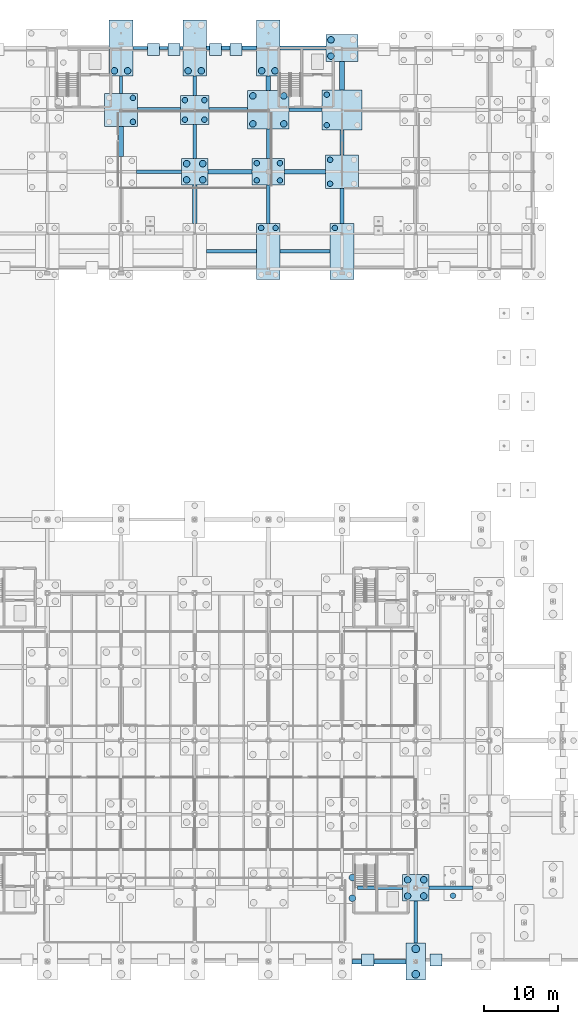
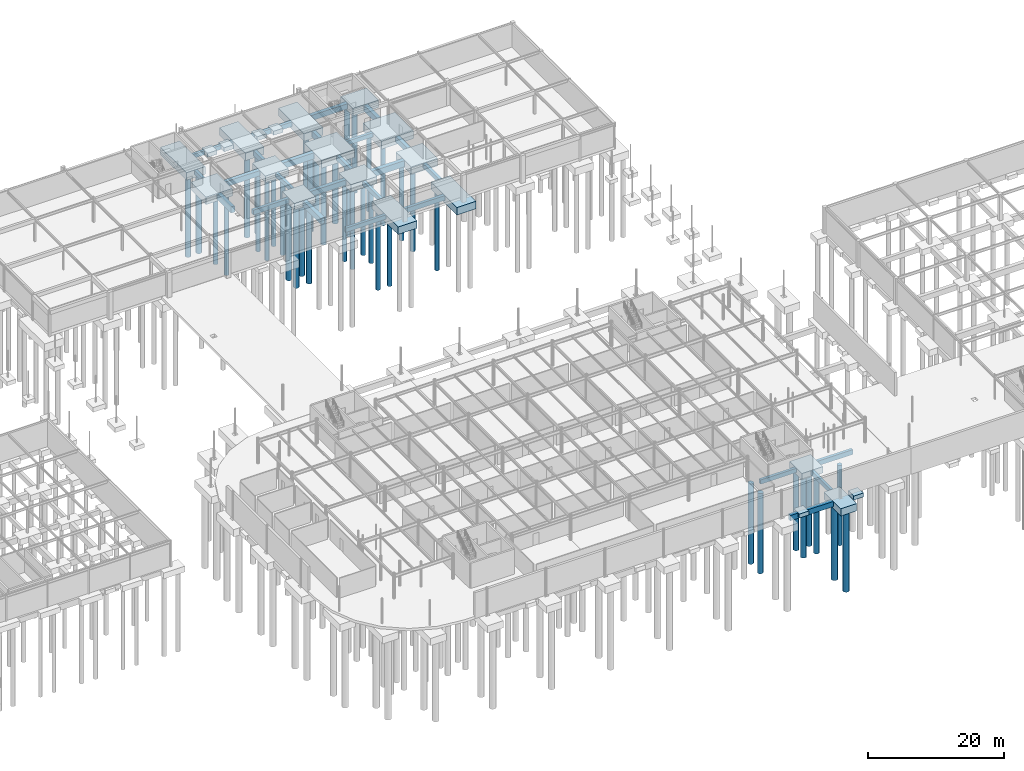
# One storey, part 7 of 75: 47 footings, 42 piles.
"""IFC4 building model written with IfcOpenShell, lengths in metres."""

from ifc_helpers import new_model, si_unit, derived_unit, direction, frame, origin, origin_2d_with_axis, place, context, subcontext, project, spatial, rectangle, circle, extrude, material, layer, layer_set, material_profile, profile_set, type_object, element, save


model = new_model("IFC4")

# Units and contexts
model_context = context("Model", 3, precision=1e-05, world=origin(), true_north=direction((0.0, 1.0)))
body_context = subcontext(model_context, "Body", "Model", "MODEL_VIEW")
ifc_project = project(units=[si_unit("LENGTHUNIT", "METRE"), si_unit("AREAUNIT", "SQUARE_METRE"), si_unit("VOLUMEUNIT", "CUBIC_METRE"), si_unit("PLANEANGLEUNIT", "RADIAN"), si_unit("MASSUNIT", "GRAM", prefix="KILO"), derived_unit("THERMALTRANSMITTANCEUNIT", [(si_unit("POWERUNIT", "WATT"), 1), (si_unit("LENGTHUNIT", "METRE"), -2), (si_unit("THERMODYNAMICTEMPERATUREUNIT", "KELVIN"), -1)])], contexts=[model_context])

# Site, building, storey
site_placement = place(None, origin())
site = spatial("IfcSite", under=ifc_project, at=site_placement, CompositionType="ELEMENT")
building_placement = place(site_placement, origin())
building = spatial("IfcBuilding", under=site, at=building_placement, Name="Cinnabar Yard Market Hall", CompositionType="ELEMENT")
storey_placement = place(building_placement, frame((0.0, 0.0, -4.5)))
storey = spatial("IfcBuildingStorey", under=building, at=storey_placement, Name="B1", CompositionType="ELEMENT", Elevation=-4.5)

# Footings
ifc_material = material(Name="Concrete 40 MPa", Category="concrete")
ifc_material_profile_1 = material_profile(ifc_material, rectangle(XDim=0.449951171875, YDim=0.75, at=origin_2d_with_axis()), Name="GB-450x750")
ifc_profile_set_1 = profile_set([ifc_material_profile_1], Name="Concrete 40 MPa")
footing_type_1 = type_object("IfcFootingType", Name="FT-GB01", PredefinedType="FOOTING_BEAM", material=ifc_profile_set_1)
footing_1_placement = place(storey_placement, frame((138.10009765625, 24.0, -0.824951171875), z_axis=(1.0, 0.0, 0.0), x_axis=(0.0, 1.0, 0.0)))
element("IfcFooting", 1, at=footing_1_placement, inside=storey, type_object=footing_type_1, Name="Ground Beam X 0016", PredefinedType="FOOTING_BEAM", context=body_context, shape_type="SweptSolid", body=[
    extrude(rectangle(XDim=0.449951171875, YDim=0.75, at=origin_2d_with_axis()), origin(), (0.0, 0.0, 1.0), 6.099853515625),
])
footing_2_placement = place(storey_placement, frame((117.60009765625, 110.39990234375, -0.824951171875), z_axis=(1.0, 0.0, 0.0), x_axis=(0.0, 1.0, 0.0)))
element("IfcFooting", 2, at=footing_2_placement, inside=storey, type_object=footing_type_1, Name="Ground Beam X 0116", PredefinedType="FOOTING_BEAM", context=body_context, shape_type="SweptSolid", body=[
    extrude(rectangle(XDim=0.449951171875, YDim=0.75, at=origin_2d_with_axis()), origin(), (0.0, 0.0, 1.0), 6.7998046875),
])
footing_3_placement = place(storey_placement, frame((128.800048828125, 129.60009765625, -0.824951171875), z_axis=(1.0, 0.0, 0.0), x_axis=(0.0, 1.0, 0.0)))
element("IfcFooting", 3, at=footing_3_placement, inside=storey, type_object=footing_type_1, Name="Ground Beam X 0136", PredefinedType="FOOTING_BEAM", context=body_context, shape_type="SweptSolid", body=[
    extrude(rectangle(XDim=0.449951171875, YDim=0.75, at=origin_2d_with_axis()), origin(), (0.0, 0.0, 1.0), 4.5),
])
footing_4_placement = place(storey_placement, frame((107.60009765625, 138.0, -0.824951171875), z_axis=(1.0, 0.0, 0.0), x_axis=(0.0, 1.0, 0.0)))
element("IfcFooting", 4, at=footing_4_placement, inside=storey, type_object=footing_type_1, Name="Ground Beam X 0144", PredefinedType="FOOTING_BEAM", context=body_context, shape_type="SweptSolid", body=[
    extrude(rectangle(XDim=0.449951171875, YDim=0.75, at=origin_2d_with_axis()), origin(), (0.0, 0.0, 1.0), 6.7998046875),
])
footing_5_placement = place(storey_placement, frame((106.0, 131.85009765625, -0.824951171875), z_axis=(0.0, 1.0, 0.0), x_axis=(-1.0, 0.0, 0.0)))
element("IfcFooting", 5, at=footing_5_placement, inside=storey, type_object=footing_type_1, Name="Ground Beam Y 0216", PredefinedType="FOOTING_BEAM", context=body_context, shape_type="SweptSolid", body=[
    extrude(rectangle(XDim=0.449951171875, YDim=0.75, at=origin_2d_with_axis()), origin(), (0.0, 0.0, 1.0), 2.349853515625),
])
footing_6_placement = place(storey_placement, frame((116.0, 123.0, -0.824951171875), z_axis=(0.0, 1.0, 0.0), x_axis=(-1.0, 0.0, 0.0)))
element("IfcFooting", 6, at=footing_6_placement, inside=storey, type_object=footing_type_1, Name="Ground Beam Y 0224", PredefinedType="FOOTING_BEAM", context=body_context, shape_type="SweptSolid", body=[
    extrude(rectangle(XDim=0.449951171875, YDim=0.75, at=origin_2d_with_axis()), origin(), (0.0, 0.0, 1.0), 4.64990234375),
])
footing_7_placement = place(storey_placement, frame((126.0, 114.199951171875, -0.824951171875), z_axis=(0.0, 1.0, 0.0), x_axis=(-1.0, 0.0, 0.0)))
element("IfcFooting", 7, at=footing_7_placement, inside=storey, type_object=footing_type_1, Name="Ground Beam Y 0232", PredefinedType="FOOTING_BEAM", context=body_context, shape_type="SweptSolid", body=[
    extrude(rectangle(XDim=0.449951171875, YDim=0.75, at=origin_2d_with_axis()), origin(), (0.0, 0.0, 1.0), 5.199951171875),
])
footing_8_placement = place(storey_placement, frame((146.0, 16.5, -0.824951171875), z_axis=(0.0, 1.0, 0.0), x_axis=(-1.0, 0.0, 0.0)))
element("IfcFooting", 8, at=footing_8_placement, inside=storey, type_object=footing_type_1, Name="Ground Beam Y 0244", PredefinedType="FOOTING_BEAM", context=body_context, shape_type="SweptSolid", body=[
    extrude(rectangle(XDim=0.449951171875, YDim=0.75, at=origin_2d_with_axis()), origin(), (0.0, 0.0, 1.0), 5.699951171875),
])
ifc_material_profile_2 = material_profile(ifc_material, rectangle(XDim=0.5, YDim=0.85009765625, at=origin_2d_with_axis()), Name="GB-500x850")
ifc_profile_set_2 = profile_set([ifc_material_profile_2], Name="Concrete 40 MPa")
footing_type_2 = type_object("IfcFootingType", Name="FT-GB02", PredefinedType="FOOTING_BEAM", material=ifc_profile_set_2)
footing_9_placement = place(storey_placement, frame((147.800048828125, 24.0, -0.875), z_axis=(1.0, 0.0, 0.0), x_axis=(0.0, 1.0, 0.0)))
element("IfcFooting", 9, at=footing_9_placement, inside=storey, type_object=footing_type_2, Name="Ground Beam X 0017", PredefinedType="FOOTING_BEAM", context=body_context, shape_type="SweptSolid", body=[
    extrude(rectangle(XDim=0.5, YDim=0.85009765625, at=origin_2d_with_axis()), origin(), (0.0, 0.0, 1.0), 6.0),
])
footing_10_placement = place(storey_placement, frame((127.60009765625, 110.39990234375, -0.875), z_axis=(1.0, 0.0, 0.0), x_axis=(0.0, 1.0, 0.0)))
element("IfcFooting", 10, at=footing_10_placement, inside=storey, type_object=footing_type_2, Name="Ground Beam X 0117", PredefinedType="FOOTING_BEAM", context=body_context, shape_type="SweptSolid", body=[
    extrude(rectangle(XDim=0.5, YDim=0.85009765625, at=origin_2d_with_axis()), origin(), (0.0, 0.0, 1.0), 6.7998046875),
])
footing_11_placement = place(storey_placement, frame((108.10009765625, 121.199951171875, -0.875), z_axis=(1.0, 0.0, 0.0), x_axis=(0.0, 1.0, 0.0)))
element("IfcFooting", 11, at=footing_11_placement, inside=storey, type_object=footing_type_2, Name="Ground Beam X 0125", PredefinedType="FOOTING_BEAM", context=body_context, shape_type="SweptSolid", body=[
    extrude(rectangle(XDim=0.5, YDim=0.85009765625, at=origin_2d_with_axis()), origin(), (0.0, 0.0, 1.0), 6.099853515625),
])
footing_12_placement = place(storey_placement, frame((117.60009765625, 138.0, -0.875), z_axis=(1.0, 0.0, 0.0), x_axis=(0.0, 1.0, 0.0)))
element("IfcFooting", 12, at=footing_12_placement, inside=storey, type_object=footing_type_2, Name="Ground Beam X 0145", PredefinedType="FOOTING_BEAM", context=body_context, shape_type="SweptSolid", body=[
    extrude(rectangle(XDim=0.5, YDim=0.85009765625, at=origin_2d_with_axis()), origin(), (0.0, 0.0, 1.0), 6.7998046875),
])
footing_13_placement = place(storey_placement, frame((116.0, 131.550048828125, -0.875), z_axis=(0.0, 1.0, 0.0), x_axis=(-1.0, 0.0, 0.0)))
element("IfcFooting", 13, at=footing_13_placement, inside=storey, type_object=footing_type_2, Name="Ground Beam Y 0225", PredefinedType="FOOTING_BEAM", context=body_context, shape_type="SweptSolid", body=[
    extrude(rectangle(XDim=0.5, YDim=0.85009765625, at=origin_2d_with_axis()), origin(), (0.0, 0.0, 1.0), 2.64990234375),
])
footing_14_placement = place(storey_placement, frame((126.0, 123.0, -0.875), z_axis=(0.0, 1.0, 0.0), x_axis=(-1.0, 0.0, 0.0)))
element("IfcFooting", 14, at=footing_14_placement, inside=storey, type_object=footing_type_2, Name="Ground Beam Y 0233", PredefinedType="FOOTING_BEAM", context=body_context, shape_type="SweptSolid", body=[
    extrude(rectangle(XDim=0.5, YDim=0.85009765625, at=origin_2d_with_axis()), origin(), (0.0, 0.0, 1.0), 4.0),
])
footing_15_placement = place(storey_placement, frame((136.0, 114.199951171875, -0.875), z_axis=(0.0, 1.0, 0.0), x_axis=(-1.0, 0.0, 0.0)))
element("IfcFooting", 15, at=footing_15_placement, inside=storey, type_object=footing_type_2, Name="Ground Beam Y 0241", PredefinedType="FOOTING_BEAM", context=body_context, shape_type="SweptSolid", body=[
    extrude(rectangle(XDim=0.5, YDim=0.85009765625, at=origin_2d_with_axis()), origin(), (0.0, 0.0, 1.0), 4.75),
])
ifc_material_profile_3 = material_profile(ifc_material, rectangle(XDim=0.60009765625, YDim=0.949951171875, at=origin_2d_with_axis()), Name="GB-600x950")
ifc_profile_set_3 = profile_set([ifc_material_profile_3], Name="Concrete 40 MPa")
footing_type_3 = type_object("IfcFootingType", Name="FT-GB03", PredefinedType="FOOTING_BEAM", material=ifc_profile_set_3)
footing_16_placement = place(storey_placement, frame((137.35009765625, 14.0, -0.925048828125), z_axis=(1.0, 0.0, 0.0), x_axis=(0.0, 1.0, 0.0)))
element("IfcFooting", 16, at=footing_16_placement, inside=storey, type_object=footing_type_3, Name="Ground Beam X 0006", PredefinedType="FOOTING_BEAM", context=body_context, shape_type="SweptSolid", body=[
    extrude(rectangle(XDim=0.60009765625, YDim=0.949951171875, at=origin_2d_with_axis()), origin(), (0.0, 0.0, 1.0), 7.2998046875),
])
footing_17_placement = place(storey_placement, frame((117.800048828125, 121.199951171875, -0.925048828125), z_axis=(1.0, 0.0, 0.0), x_axis=(0.0, 1.0, 0.0)))
element("IfcFooting", 17, at=footing_17_placement, inside=storey, type_object=footing_type_3, Name="Ground Beam X 0126", PredefinedType="FOOTING_BEAM", context=body_context, shape_type="SweptSolid", body=[
    extrude(rectangle(XDim=0.60009765625, YDim=0.949951171875, at=origin_2d_with_axis()), origin(), (0.0, 0.0, 1.0), 6.0),
])
footing_18_placement = place(storey_placement, frame((108.25, 129.60009765625, -0.925048828125), z_axis=(1.0, 0.0, 0.0), x_axis=(0.0, 1.0, 0.0)))
element("IfcFooting", 18, at=footing_18_placement, inside=storey, type_object=footing_type_3, Name="Ground Beam X 0134", PredefinedType="FOOTING_BEAM", context=body_context, shape_type="SweptSolid", body=[
    extrude(rectangle(XDim=0.60009765625, YDim=0.949951171875, at=origin_2d_with_axis()), origin(), (0.0, 0.0, 1.0), 5.800048828125),
])
footing_19_placement = place(storey_placement, frame((127.60009765625, 138.0, -0.925048828125), z_axis=(1.0, 0.0, 0.0), x_axis=(0.0, 1.0, 0.0)))
element("IfcFooting", 19, at=footing_19_placement, inside=storey, type_object=footing_type_3, Name="Ground Beam X 0146", PredefinedType="FOOTING_BEAM", context=body_context, shape_type="SweptSolid", body=[
    extrude(rectangle(XDim=0.60009765625, YDim=0.949951171875, at=origin_2d_with_axis()), origin(), (0.0, 0.0, 1.0), 6.199951171875),
])
footing_20_placement = place(storey_placement, frame((126.0, 132.199951171875, -0.925048828125), z_axis=(0.0, 1.0, 0.0), x_axis=(-1.0, 0.0, 0.0)))
element("IfcFooting", 20, at=footing_20_placement, inside=storey, type_object=footing_type_3, Name="Ground Beam Y 0234", PredefinedType="FOOTING_BEAM", context=body_context, shape_type="SweptSolid", body=[
    extrude(rectangle(XDim=0.60009765625, YDim=0.949951171875, at=origin_2d_with_axis()), origin(), (0.0, 0.0, 1.0), 2.0),
])
footing_21_placement = place(storey_placement, frame((136.0, 123.449951171875, -0.925048828125), z_axis=(0.0, 1.0, 0.0), x_axis=(-1.0, 0.0, 0.0)))
element("IfcFooting", 21, at=footing_21_placement, inside=storey, type_object=footing_type_3, Name="Ground Beam Y 0242", PredefinedType="FOOTING_BEAM", context=body_context, shape_type="SweptSolid", body=[
    extrude(rectangle(XDim=0.60009765625, YDim=0.949951171875, at=origin_2d_with_axis()), origin(), (0.0, 0.0, 1.0), 3.449951171875),
])
ifc_material_profile_4 = material_profile(ifc_material, rectangle(XDim=0.64990234375, YDim=1.10009765625, at=origin_2d_with_axis()), Name="GB-650x1100")
ifc_profile_set_4 = profile_set([ifc_material_profile_4], Name="Concrete 40 MPa")
footing_type_4 = type_object("IfcFootingType", Name="FT-GB04", PredefinedType="FOOTING_BEAM", material=ifc_profile_set_4)
footing_22_placement = place(storey_placement, frame((128.199951171875, 121.199951171875, -1.0), z_axis=(1.0, 0.0, 0.0), x_axis=(0.0, 1.0, 0.0)))
element("IfcFooting", 22, at=footing_22_placement, inside=storey, type_object=footing_type_4, Name="Ground Beam X 0127", PredefinedType="FOOTING_BEAM", context=body_context, shape_type="SweptSolid", body=[
    extrude(rectangle(XDim=0.64990234375, YDim=1.10009765625, at=origin_2d_with_axis()), origin(), (0.0, 0.0, 1.0), 5.550048828125),
])
footing_23_placement = place(storey_placement, frame((117.949951171875, 129.60009765625, -1.0), z_axis=(1.0, 0.0, 0.0), x_axis=(0.0, 1.0, 0.0)))
element("IfcFooting", 23, at=footing_23_placement, inside=storey, type_object=footing_type_4, Name="Ground Beam X 0135", PredefinedType="FOOTING_BEAM", context=body_context, shape_type="SweptSolid", body=[
    extrude(rectangle(XDim=0.64990234375, YDim=1.10009765625, at=origin_2d_with_axis()), origin(), (0.0, 0.0, 1.0), 5.25),
])
footing_24_placement = place(storey_placement, frame((106.0, 123.300048828125, -1.0), z_axis=(0.0, 1.0, 0.0), x_axis=(-1.0, 0.0, 0.0)))
element("IfcFooting", 24, at=footing_24_placement, inside=storey, type_object=footing_type_4, Name="Ground Beam Y 0215", PredefinedType="FOOTING_BEAM", context=body_context, shape_type="SweptSolid", body=[
    extrude(rectangle(XDim=0.64990234375, YDim=1.10009765625, at=origin_2d_with_axis()), origin(), (0.0, 0.0, 1.0), 4.050048828125),
])
footing_25_placement = place(storey_placement, frame((116.0, 114.199951171875, -1.0), z_axis=(0.0, 1.0, 0.0), x_axis=(-1.0, 0.0, 0.0)))
element("IfcFooting", 25, at=footing_25_placement, inside=storey, type_object=footing_type_4, Name="Ground Beam Y 0223", PredefinedType="FOOTING_BEAM", context=body_context, shape_type="SweptSolid", body=[
    extrude(rectangle(XDim=0.64990234375, YDim=1.10009765625, at=origin_2d_with_axis()), origin(), (0.0, 0.0, 1.0), 5.199951171875),
])
footing_26_placement = place(storey_placement, frame((136.0, 132.300048828125, -1.0), z_axis=(0.0, 1.0, 0.0), x_axis=(-1.0, 0.0, 0.0)))
element("IfcFooting", 26, at=footing_26_placement, inside=storey, type_object=footing_type_4, Name="Ground Beam Y 0243", PredefinedType="FOOTING_BEAM", context=body_context, shape_type="SweptSolid", body=[
    extrude(rectangle(XDim=0.64990234375, YDim=1.10009765625, at=origin_2d_with_axis()), origin(), (0.0, 0.0, 1.0), 3.89990234375),
])
ifc_layer_1 = layer(ifc_material, 1.14990234375)
ifc_layer_set_1 = layer_set([ifc_layer_1], Name="Concrete 40 MPa")
footing_type_5 = type_object("IfcFootingType", Name="FT-PC03", PredefinedType="PILE_CAP", material=ifc_layer_set_1)
for number, where, z_axis, x_axis, name in (
    (27, (146.0, 24.0, -1.599853515625), (0.0, 0.0, 1.0), (1.0, 0.0, 0.0), "Pile Cap V1I-08-01"),
    (28, (116.0, 121.199951171875, -1.599853515625), (0.0, 0.0, 1.0), (1.0, 0.0, 0.0), "Pile Cap V3-06-03"),
):
    element("IfcFooting", number, at=place(storey_placement, frame(where, z_axis=z_axis, x_axis=x_axis)), inside=storey, type_object=footing_type_5, Name=name, PredefinedType="PILE_CAP", context=body_context, shape_type="SweptSolid", body=[
        extrude(rectangle(XDim=3.60009765625, YDim=3.60009765625, at=origin_2d_with_axis()), origin(), (0.0, 0.0, 1.0), 1.14990234375),
    ])
ifc_layer_2 = layer(ifc_material, 1.199951171875)
ifc_layer_set_2 = layer_set([ifc_layer_2], Name="Concrete 40 MPa")
footing_type_6 = type_object("IfcFootingType", Name="FT-PC04", PredefinedType="PILE_CAP", material=ifc_layer_set_2)
footing_27_placement = place(storey_placement, frame((116.0, 129.60009765625, -1.64990234375), z_axis=(0.0, 0.0, 1.0), x_axis=(1.0, 0.0, 0.0)))
element("IfcFooting", 29, at=footing_27_placement, inside=storey, type_object=footing_type_6, Name="Pile Cap V3-06-04", PredefinedType="PILE_CAP", context=body_context, shape_type="SweptSolid", body=[
    extrude(rectangle(XDim=3.89990234375, YDim=3.89990234375, at=origin_2d_with_axis()), origin(), (0.0, 0.0, 1.0), 1.199951171875),
])
ifc_layer_3 = layer(ifc_material, 1.35009765625)
ifc_layer_set_3 = layer_set([ifc_layer_3], Name="Concrete 40 MPa")
footing_type_7 = type_object("IfcFootingType", Name="FT-PC06", PredefinedType="PILE_CAP", material=ifc_layer_set_3)
for number, where, z_axis, x_axis, name in (
    (30, (106.0, 129.60009765625, -1.800048828125), (0.0, 0.0, 1.0), (1.0, 0.0, 0.0), "Pile Cap V3-05-04"),
    (31, (136.0, 121.199951171875, -1.800048828125), (0.0, 0.0, 1.0), (1.0, 0.0, 0.0), "Pile Cap V3-08-03"),
):
    element("IfcFooting", number, at=place(storey_placement, frame(where, z_axis=z_axis, x_axis=x_axis)), inside=storey, type_object=footing_type_7, Name=name, PredefinedType="PILE_CAP", context=body_context, shape_type="SweptSolid", body=[
        extrude(rectangle(XDim=4.5, YDim=4.5, at=origin_2d_with_axis()), origin(), (0.0, 0.0, 1.0), 1.35009765625),
    ])
ifc_layer_4 = layer(ifc_material, 1.300048828125)
ifc_layer_set_4 = layer_set([ifc_layer_4], Name="Concrete 40 MPa")
footing_type_8 = type_object("IfcFootingType", Name="FT-PC10", PredefinedType="PILE_CAP", material=ifc_layer_set_4)
footing_28_placement = place(storey_placement, frame((146.0, 14.0, -1.75), z_axis=(0.0, 0.0, 1.0), x_axis=(1.0, 0.0, 0.0)))
element("IfcFooting", 32, at=footing_28_placement, inside=storey, type_object=footing_type_8, Name="Pile Cap V1S-07", PredefinedType="PILE_CAP", context=body_context, shape_type="SweptSolid", body=[
    extrude(rectangle(XDim=2.699951171875, YDim=5.0, at=origin_2d_with_axis()), origin(), (0.0, 0.0, 1.0), 1.300048828125),
])
ifc_layer_5 = layer(ifc_material, 1.449951171875)
ifc_layer_set_5 = layer_set([ifc_layer_5], Name="Concrete 40 MPa")
footing_type_9 = type_object("IfcFootingType", Name="FT-PC12", PredefinedType="PILE_CAP", material=ifc_layer_set_5)
footing_29_placement = place(storey_placement, frame((136.0, 129.60009765625, -1.89990234375), z_axis=(0.0, 0.0, 1.0), x_axis=(1.0, 0.0, 0.0)))
element("IfcFooting", 33, at=footing_29_placement, inside=storey, type_object=footing_type_9, Name="Pile Cap V3-08-04", PredefinedType="PILE_CAP", context=body_context, shape_type="SweptSolid", body=[
    extrude(rectangle(XDim=5.39990234375, YDim=5.39990234375, at=origin_2d_with_axis()), origin(), (0.0, 0.0, 1.0), 1.449951171875),
])
ifc_layer_6 = layer(ifc_material, 1.300048828125)
ifc_layer_set_6 = layer_set([ifc_layer_6], Name="Concrete 40 MPa")
footing_type_10 = type_object("IfcFootingType", Name="FT-PC15", PredefinedType="PILE_CAP", material=ifc_layer_set_6)
for number, where, z_axis, x_axis, name in (
    (34, (126.0, 121.199951171875, -1.75), (0.0, 0.0, 1.0), (1.0, 0.0, 0.0), "Pile Cap V3-07-03"),
    (35, (136.0, 138.0, -1.75), (0.0, 0.0, 1.0), (1.0, 0.0, 0.0), "Pile Cap V3-08-05"),
):
    element("IfcFooting", number, at=place(storey_placement, frame(where, z_axis=z_axis, x_axis=x_axis)), inside=storey, type_object=footing_type_10, Name=name, PredefinedType="PILE_CAP", context=body_context, shape_type="SweptSolid", body=[
        extrude(rectangle(XDim=4.39990234375, YDim=3.60009765625, at=origin_2d_with_axis()), origin(), (0.0, 0.0, 1.0), 1.300048828125),
    ])
ifc_layer_7 = layer(ifc_material, 1.39990234375)
ifc_layer_set_7 = layer_set([ifc_layer_7], Name="Concrete 40 MPa")
footing_type_11 = type_object("IfcFootingType", Name="FT-PC16", PredefinedType="PILE_CAP", material=ifc_layer_set_7)
footing_30_placement = place(storey_placement, frame((126.0, 129.60009765625, -1.849853515625), z_axis=(0.0, 0.0, 1.0), x_axis=(1.0, 0.0, 0.0)))
element("IfcFooting", 36, at=footing_30_placement, inside=storey, type_object=footing_type_11, Name="Pile Cap V3-07-04", PredefinedType="PILE_CAP", context=body_context, shape_type="SweptSolid", body=[
    extrude(rectangle(XDim=5.60009765625, YDim=5.199951171875, at=origin_2d_with_axis()), origin(), (0.0, 0.0, 1.0), 1.39990234375),
])
ifc_layer_8 = layer(ifc_material, 1.35009765625)
ifc_layer_set_8 = layer_set([ifc_layer_8], Name="Concrete 40 MPa")
footing_type_12 = type_object("IfcFootingType", Name="FT-PC17", PredefinedType="PILE_CAP", material=ifc_layer_set_8)
for number, where, z_axis, x_axis, name in (
    (37, (106.0, 138.0, -1.800048828125), (0.0, 0.0, 1.0), (1.0, 0.0, 0.0), "Pile Cap V3-05-05-CAN"),
    (38, (116.0, 138.0, -1.800048828125), (0.0, 0.0, 1.0), (1.0, 0.0, 0.0), "Pile Cap V3-06-05-CAN"),
    (39, (126.0, 110.39990234375, -1.800048828125), (0.0, 0.0, 1.0), (1.0, 0.0, 0.0), "Pile Cap V3-07-01-PAIR"),
    (40, (126.0, 138.0, -1.800048828125), (0.0, 0.0, 1.0), (1.0, 0.0, 0.0), "Pile Cap V3-07-05-CAN"),
    (41, (136.0, 110.39990234375, -1.800048828125), (0.0, 0.0, 1.0), (1.0, 0.0, 0.0), "Pile Cap V3-08-01-PAIR"),
):
    element("IfcFooting", number, at=place(storey_placement, frame(where, z_axis=z_axis, x_axis=x_axis)), inside=storey, type_object=footing_type_12, Name=name, PredefinedType="PILE_CAP", context=body_context, shape_type="SweptSolid", body=[
        extrude(rectangle(XDim=3.199951171875, YDim=7.60009765625, at=origin_2d_with_axis()), origin(), (0.0, 0.0, 1.0), 1.35009765625),
    ])
ifc_layer_9 = layer(ifc_material, 0.719970703125)
ifc_layer_set_9 = layer_set([ifc_layer_9], Name="Concrete 40 MPa")
footing_type_13 = type_object("IfcFootingType", Name="FT-PF02", PredefinedType="PAD_FOOTING", material=ifc_layer_set_9)
for number, where, z_axis, x_axis, name in (
    (42, (139.5, 14.199951171875, -1.169921875), (0.0, 0.0, 1.0), (1.0, 0.0, 0.0), "Wall Pad B1-RET-V1S-6"),
    (43, (148.75, 14.199951171875, -1.169921875), (0.0, 0.0, 1.0), (1.0, 0.0, 0.0), "Wall Pad B1-RET-V1S-7"),
    (44, (110.389892578125, 137.800048828125, -1.169921875), (0.0, 0.0, 1.0), (1.0, 0.0, 0.0), "Wall Pad B1-RET-V3N2-2"),
    (45, (113.195068359375, 137.800048828125, -1.169921875), (0.0, 0.0, 1.0), (1.0, 0.0, 0.0), "Wall Pad B1-RET-V3N2-3"),
    (46, (118.804931640625, 137.800048828125, -1.169921875), (0.0, 0.0, 1.0), (1.0, 0.0, 0.0), "Wall Pad B1-RET-V3N2-5"),
    (47, (121.610107421875, 137.800048828125, -1.169921875), (0.0, 0.0, 1.0), (1.0, 0.0, 0.0), "Wall Pad B1-RET-V3N2-6"),
):
    element("IfcFooting", number, at=place(storey_placement, frame(where, z_axis=z_axis, x_axis=x_axis)), inside=storey, type_object=footing_type_13, Name=name, PredefinedType="PAD_FOOTING", context=body_context, shape_type="SweptSolid", body=[
        extrude(rectangle(XDim=1.64990234375, YDim=1.64990234375, at=origin_2d_with_axis()), origin(), (0.0, 0.0, 1.0), 0.719970703125),
    ])

# Piles
ifc_material_profile_5 = material_profile(ifc_material, circle(Radius=0.52490234375, at=origin_2d_with_axis()), Name="PILE-D1050")
ifc_profile_set_5 = profile_set([ifc_material_profile_5], Name="Concrete 40 MPa")
pile_type_1 = type_object("IfcPileType", Name="PILE-PL1050", PredefinedType="BORED", material=ifc_profile_set_5)
for number, where, z_axis, x_axis, name in (
    (48, (146.0, 12.27490234375, -1.64990234375), (0.0, 0.0, -1.0), (1.0, 0.0, 0.0), "Bored Pile 0205"),
    (49, (146.0, 15.72509765625, -1.64990234375), (0.0, 0.0, -1.0), (1.0, 0.0, 0.0), "Bored Pile 0206"),
):
    element("IfcPile", number, at=place(storey_placement, frame(where, z_axis=z_axis, x_axis=x_axis)), inside=storey, type_object=pile_type_1, Name=name, PredefinedType="BORED", context=body_context, shape_type="SweptSolid", body=[
        extrude(circle(Radius=0.52490234375, at=origin_2d_with_axis()), origin(), (0.0, 0.0, 1.0), 14.35009765625),
    ])
ifc_material_profile_6 = material_profile(ifc_material, circle(Radius=0.375, at=origin_2d_with_axis()), Name="PILE-D750")
ifc_profile_set_6 = profile_set([ifc_material_profile_6], Name="Concrete 40 MPa")
pile_type_2 = type_object("IfcPileType", Name="PILE-PL750", PredefinedType="BORED", material=ifc_profile_set_6)
pile_placement = place(storey_placement, frame((151.0615234375, 22.93408203125, -1.60009765625), z_axis=(0.0, 0.0, -1.0), x_axis=(1.0, 0.0, 0.0)))
element("IfcPile", 50, at=pile_placement, inside=storey, type_object=pile_type_2, Name="Bored Pile 0233", PredefinedType="BORED", context=body_context, shape_type="SweptSolid", body=[
    extrude(circle(Radius=0.375, at=origin_2d_with_axis()), origin(), (0.0, 0.0, 1.0), 14.39990234375),
])
for number, where, z_axis, x_axis, name in (
    (51, (107.625, 127.97509765625, -1.699951171875), (0.0, 0.0, -1.0), (1.0, 0.0, 0.0), "Bored Pile 0402"),
    (52, (107.625, 131.22509765625, -1.699951171875), (0.0, 0.0, -1.0), (1.0, 0.0, 0.0), "Bored Pile 0404"),
):
    element("IfcPile", number, at=place(storey_placement, frame(where, z_axis=z_axis, x_axis=x_axis)), inside=storey, type_object=pile_type_2, Name=name, PredefinedType="BORED", context=body_context, shape_type="SweptSolid", body=[
        extrude(circle(Radius=0.375, at=origin_2d_with_axis()), origin(), (0.0, 0.0, 1.0), 14.300048828125),
    ])
for number, where, z_axis, x_axis, name in (
    (53, (114.675048828125, 128.27490234375, -1.550048828125), (0.0, 0.0, -1.0), (1.0, 0.0, 0.0), "Bored Pile 0417"),
    (54, (117.324951171875, 128.27490234375, -1.550048828125), (0.0, 0.0, -1.0), (1.0, 0.0, 0.0), "Bored Pile 0418"),
    (55, (114.675048828125, 130.925048828125, -1.550048828125), (0.0, 0.0, -1.0), (1.0, 0.0, 0.0), "Bored Pile 0419"),
    (56, (117.324951171875, 130.925048828125, -1.550048828125), (0.0, 0.0, -1.0), (1.0, 0.0, 0.0), "Bored Pile 0420"),
):
    element("IfcPile", number, at=place(storey_placement, frame(where, z_axis=z_axis, x_axis=x_axis)), inside=storey, type_object=pile_type_2, Name=name, PredefinedType="BORED", context=body_context, shape_type="SweptSolid", body=[
        extrude(circle(Radius=0.375, at=origin_2d_with_axis()), origin(), (0.0, 0.0, 1.0), 14.449951171875),
    ])
for number, where, z_axis, x_axis, name in (
    (57, (125.02490234375, 113.574951171875, -1.699951171875), (0.0, 0.0, -1.0), (1.0, 0.0, 0.0), "Bored Pile 0427"),
    (58, (126.97509765625, 113.574951171875, -1.699951171875), (0.0, 0.0, -1.0), (1.0, 0.0, 0.0), "Bored Pile 0428"),
):
    element("IfcPile", number, at=place(storey_placement, frame(where, z_axis=z_axis, x_axis=x_axis)), inside=storey, type_object=pile_type_2, Name=name, PredefinedType="BORED", context=body_context, shape_type="SweptSolid", body=[
        extrude(circle(Radius=0.375, at=origin_2d_with_axis()), origin(), (0.0, 0.0, 1.0), 14.300048828125),
    ])
for number, where, z_axis, x_axis, name in (
    (59, (124.425048828125, 120.02490234375, -1.64990234375), (0.0, 0.0, -1.0), (1.0, 0.0, 0.0), "Bored Pile 0429"),
    (60, (127.574951171875, 120.02490234375, -1.64990234375), (0.0, 0.0, -1.0), (1.0, 0.0, 0.0), "Bored Pile 0430"),
    (61, (124.425048828125, 122.375, -1.64990234375), (0.0, 0.0, -1.0), (1.0, 0.0, 0.0), "Bored Pile 0431"),
    (62, (127.574951171875, 122.375, -1.64990234375), (0.0, 0.0, -1.0), (1.0, 0.0, 0.0), "Bored Pile 0432"),
):
    element("IfcPile", number, at=place(storey_placement, frame(where, z_axis=z_axis, x_axis=x_axis)), inside=storey, type_object=pile_type_2, Name=name, PredefinedType="BORED", context=body_context, shape_type="SweptSolid", body=[
        extrude(circle(Radius=0.375, at=origin_2d_with_axis()), origin(), (0.0, 0.0, 1.0), 14.35009765625),
    ])
for number, where, z_axis, x_axis, name in (
    (63, (135.02490234375, 113.574951171875, -1.699951171875), (0.0, 0.0, -1.0), (1.0, 0.0, 0.0), "Bored Pile 0443"),
    (64, (134.375, 119.574951171875, -1.699951171875), (0.0, 0.0, -1.0), (1.0, 0.0, 0.0), "Bored Pile 0445"),
    (65, (134.375, 122.824951171875, -1.699951171875), (0.0, 0.0, -1.0), (1.0, 0.0, 0.0), "Bored Pile 0447"),
):
    element("IfcPile", number, at=place(storey_placement, frame(where, z_axis=z_axis, x_axis=x_axis)), inside=storey, type_object=pile_type_2, Name=name, PredefinedType="BORED", context=body_context, shape_type="SweptSolid", body=[
        extrude(circle(Radius=0.375, at=origin_2d_with_axis()), origin(), (0.0, 0.0, 1.0), 14.300048828125),
    ])
for number, where, z_axis, x_axis, name in (
    (66, (133.925048828125, 127.52490234375, -1.800048828125), (0.0, 0.0, -1.0), (1.0, 0.0, 0.0), "Bored Pile 0449"),
    (67, (133.925048828125, 131.675048828125, -1.800048828125), (0.0, 0.0, -1.0), (1.0, 0.0, 0.0), "Bored Pile 0451"),
):
    element("IfcPile", number, at=place(storey_placement, frame(where, z_axis=z_axis, x_axis=x_axis)), inside=storey, type_object=pile_type_2, Name=name, PredefinedType="BORED", context=body_context, shape_type="SweptSolid", body=[
        extrude(circle(Radius=0.375, at=origin_2d_with_axis()), origin(), (0.0, 0.0, 1.0), 14.199951171875),
    ])
ifc_material_profile_7 = material_profile(ifc_material, circle(Radius=0.449951171875, at=origin_2d_with_axis()), Name="PILE-D900")
ifc_profile_set_7 = profile_set([ifc_material_profile_7], Name="Concrete 40 MPa")
pile_type_3 = type_object("IfcPileType", Name="PILE-PL900", PredefinedType="BORED", material=ifc_profile_set_7)
for number, where, z_axis, x_axis, name in (
    (68, (137.39990234375, 22.60009765625, -1.60009765625), (0.0, 0.0, -1.0), (1.0, 0.0, 0.0), "Bored Pile 0122"),
    (69, (137.39990234375, 25.39990234375, -1.60009765625), (0.0, 0.0, -1.0), (1.0, 0.0, 0.0), "Bored Pile 0124"),
):
    element("IfcPile", number, at=place(storey_placement, frame(where, z_axis=z_axis, x_axis=x_axis)), inside=storey, type_object=pile_type_3, Name=name, PredefinedType="BORED", context=body_context, shape_type="SweptSolid", body=[
        extrude(circle(Radius=0.449951171875, at=origin_2d_with_axis()), origin(), (0.0, 0.0, 1.0), 14.39990234375),
    ])
for number, where, z_axis, x_axis, name in (
    (70, (144.89990234375, 22.89990234375, -1.5), (0.0, 0.0, -1.0), (1.0, 0.0, 0.0), "Bored Pile 0141"),
    (71, (147.10009765625, 22.89990234375, -1.5), (0.0, 0.0, -1.0), (1.0, 0.0, 0.0), "Bored Pile 0142"),
    (72, (144.89990234375, 25.10009765625, -1.5), (0.0, 0.0, -1.0), (1.0, 0.0, 0.0), "Bored Pile 0143"),
    (73, (147.10009765625, 25.10009765625, -1.5), (0.0, 0.0, -1.0), (1.0, 0.0, 0.0), "Bored Pile 0144"),
):
    element("IfcPile", number, at=place(storey_placement, frame(where, z_axis=z_axis, x_axis=x_axis)), inside=storey, type_object=pile_type_3, Name=name, PredefinedType="BORED", context=body_context, shape_type="SweptSolid", body=[
        extrude(circle(Radius=0.449951171875, at=origin_2d_with_axis()), origin(), (0.0, 0.0, 1.0), 14.5),
    ])
for number, where, z_axis, x_axis, name in (
    (74, (105.10009765625, 134.89990234375, -1.699951171875), (0.0, 0.0, -1.0), (1.0, 0.0, 0.0), "Bored Pile 0405"),
    (75, (106.89990234375, 134.89990234375, -1.699951171875), (0.0, 0.0, -1.0), (1.0, 0.0, 0.0), "Bored Pile 0406"),
):
    element("IfcPile", number, at=place(storey_placement, frame(where, z_axis=z_axis, x_axis=x_axis)), inside=storey, type_object=pile_type_3, Name=name, PredefinedType="BORED", context=body_context, shape_type="SweptSolid", body=[
        extrude(circle(Radius=0.449951171875, at=origin_2d_with_axis()), origin(), (0.0, 0.0, 1.0), 14.300048828125),
    ])
for number, where, z_axis, x_axis, name in (
    (76, (114.89990234375, 120.10009765625, -1.5), (0.0, 0.0, -1.0), (1.0, 0.0, 0.0), "Bored Pile 0413"),
    (77, (117.10009765625, 120.10009765625, -1.5), (0.0, 0.0, -1.0), (1.0, 0.0, 0.0), "Bored Pile 0414"),
    (78, (114.89990234375, 122.300048828125, -1.5), (0.0, 0.0, -1.0), (1.0, 0.0, 0.0), "Bored Pile 0415"),
    (79, (117.10009765625, 122.300048828125, -1.5), (0.0, 0.0, -1.0), (1.0, 0.0, 0.0), "Bored Pile 0416"),
):
    element("IfcPile", number, at=place(storey_placement, frame(where, z_axis=z_axis, x_axis=x_axis)), inside=storey, type_object=pile_type_3, Name=name, PredefinedType="BORED", context=body_context, shape_type="SweptSolid", body=[
        extrude(circle(Radius=0.449951171875, at=origin_2d_with_axis()), origin(), (0.0, 0.0, 1.0), 14.5),
    ])
for number, where, z_axis, x_axis, name in (
    (80, (115.10009765625, 134.89990234375, -1.699951171875), (0.0, 0.0, -1.0), (1.0, 0.0, 0.0), "Bored Pile 0421"),
    (81, (116.89990234375, 134.89990234375, -1.699951171875), (0.0, 0.0, -1.0), (1.0, 0.0, 0.0), "Bored Pile 0422"),
):
    element("IfcPile", number, at=place(storey_placement, frame(where, z_axis=z_axis, x_axis=x_axis)), inside=storey, type_object=pile_type_3, Name=name, PredefinedType="BORED", context=body_context, shape_type="SweptSolid", body=[
        extrude(circle(Radius=0.449951171875, at=origin_2d_with_axis()), origin(), (0.0, 0.0, 1.0), 14.300048828125),
    ])
for number, where, z_axis, x_axis, name in (
    (82, (123.89990234375, 127.699951171875, -1.75), (0.0, 0.0, -1.0), (1.0, 0.0, 0.0), "Bored Pile 0433"),
    (83, (128.10009765625, 127.699951171875, -1.75), (0.0, 0.0, -1.0), (1.0, 0.0, 0.0), "Bored Pile 0434"),
    (84, (123.89990234375, 131.5, -1.75), (0.0, 0.0, -1.0), (1.0, 0.0, 0.0), "Bored Pile 0435"),
    (85, (128.10009765625, 131.5, -1.75), (0.0, 0.0, -1.0), (1.0, 0.0, 0.0), "Bored Pile 0436"),
):
    element("IfcPile", number, at=place(storey_placement, frame(where, z_axis=z_axis, x_axis=x_axis)), inside=storey, type_object=pile_type_3, Name=name, PredefinedType="BORED", context=body_context, shape_type="SweptSolid", body=[
        extrude(circle(Radius=0.449951171875, at=origin_2d_with_axis()), origin(), (0.0, 0.0, 1.0), 14.25),
    ])
for number, where, z_axis, x_axis, name in (
    (86, (125.10009765625, 134.89990234375, -1.699951171875), (0.0, 0.0, -1.0), (1.0, 0.0, 0.0), "Bored Pile 0437"),
    (87, (126.89990234375, 134.89990234375, -1.699951171875), (0.0, 0.0, -1.0), (1.0, 0.0, 0.0), "Bored Pile 0438"),
):
    element("IfcPile", number, at=place(storey_placement, frame(where, z_axis=z_axis, x_axis=x_axis)), inside=storey, type_object=pile_type_3, Name=name, PredefinedType="BORED", context=body_context, shape_type="SweptSolid", body=[
        extrude(circle(Radius=0.449951171875, at=origin_2d_with_axis()), origin(), (0.0, 0.0, 1.0), 14.300048828125),
    ])
for number, where, z_axis, x_axis, name in (
    (88, (134.5, 136.89990234375, -1.64990234375), (0.0, 0.0, -1.0), (1.0, 0.0, 0.0), "Bored Pile 0453"),
    (89, (134.5, 139.10009765625, -1.64990234375), (0.0, 0.0, -1.0), (1.0, 0.0, 0.0), "Bored Pile 0455"),
):
    element("IfcPile", number, at=place(storey_placement, frame(where, z_axis=z_axis, x_axis=x_axis)), inside=storey, type_object=pile_type_3, Name=name, PredefinedType="BORED", context=body_context, shape_type="SweptSolid", body=[
        extrude(circle(Radius=0.449951171875, at=origin_2d_with_axis()), origin(), (0.0, 0.0, 1.0), 14.35009765625),
    ])

save(model, "model.ifc")
